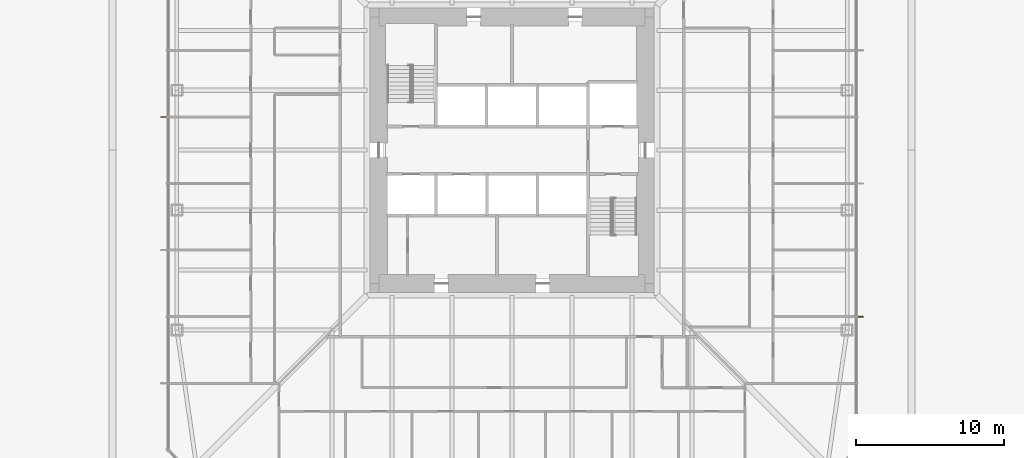
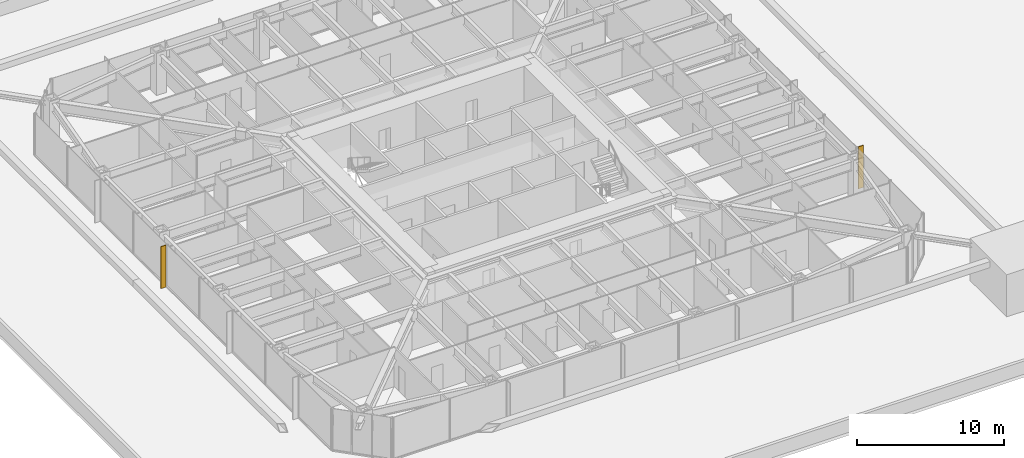
# One storey, part 28 of 31: 2 shading devices.
"""IFC4 building model written with IfcOpenShell, lengths in metres."""

from ifc_helpers import new_model, si_unit, direction, frame, origin, origin_2d, place, context, subcontext, project, spatial, rectangle, extrude, material, layer, layer_set, type_object, element, save


model = new_model("IFC4")

# Units and contexts
model_context = context("Model", 3, precision=1e-05, world=origin(), true_north=direction((0.0, 1.0)))
body_context = subcontext(model_context, "Body", "Model", "MODEL_VIEW")
ifc_project = project(units=[si_unit("LENGTHUNIT", "METRE"), si_unit("AREAUNIT", "SQUARE_METRE"), si_unit("VOLUMEUNIT", "CUBIC_METRE"), si_unit("PLANEANGLEUNIT", "RADIAN"), si_unit("MASSUNIT", "GRAM", prefix="KILO")], contexts=[model_context])

# Site, building, storey
site_placement = place(None, origin())
site = spatial("IfcSite", under=ifc_project, at=site_placement, CompositionType="ELEMENT")
building_placement = place(site_placement, origin())
building = spatial("IfcBuilding", under=site, at=building_placement, Name="Iwan Alto Co-Living Towers", CompositionType="ELEMENT")
storey_placement = place(building_placement, frame((0.0, 0.0, 15.0)))
storey = spatial("IfcBuildingStorey", under=building, at=storey_placement, Name="L03", CompositionType="ELEMENT", Elevation=15.0)

# Shading devices
ifc_material = material(Name="Aluminium 6063-T6 bronze anodised", Category="aluminium")
ifc_layer = layer(ifc_material, 0.050048828125)
ifc_layer_set = layer_set([ifc_layer], Name="BRONZE FIN 50X400")
shading_device_type = type_object("IfcShadingDeviceType", Name="BRONZE FIN 50X400", PredefinedType="USERDEFINED", material=ifc_layer_set)
for number, where, z_axis, x_axis, name in (
    (1, (23.550048828125, -11.25, 0.0), (0.0, 0.0, 1.0), (0.0, 1.0, 0.0), "Bronze fin L03"),
    (2, (-23.550048828125, 2.25, 0.0), (0.0, 0.0, 1.0), (0.0, -1.0, 0.0), "Bronze fin L03"),
):
    element("IfcShadingDevice", number, at=place(storey_placement, frame(where, z_axis=z_axis, x_axis=x_axis)), inside=storey, type_object=shading_device_type, Name=name, ObjectType="LOUVER", PredefinedType="USERDEFINED", context=body_context, shape_type="SweptSolid", body=[
        extrude(rectangle(XDim=0.050048828125, YDim=0.39990234375, at=origin_2d()), origin(), (0.0, 0.0, 1.0), 3.5),
    ])

save(model, "model.ifc")
